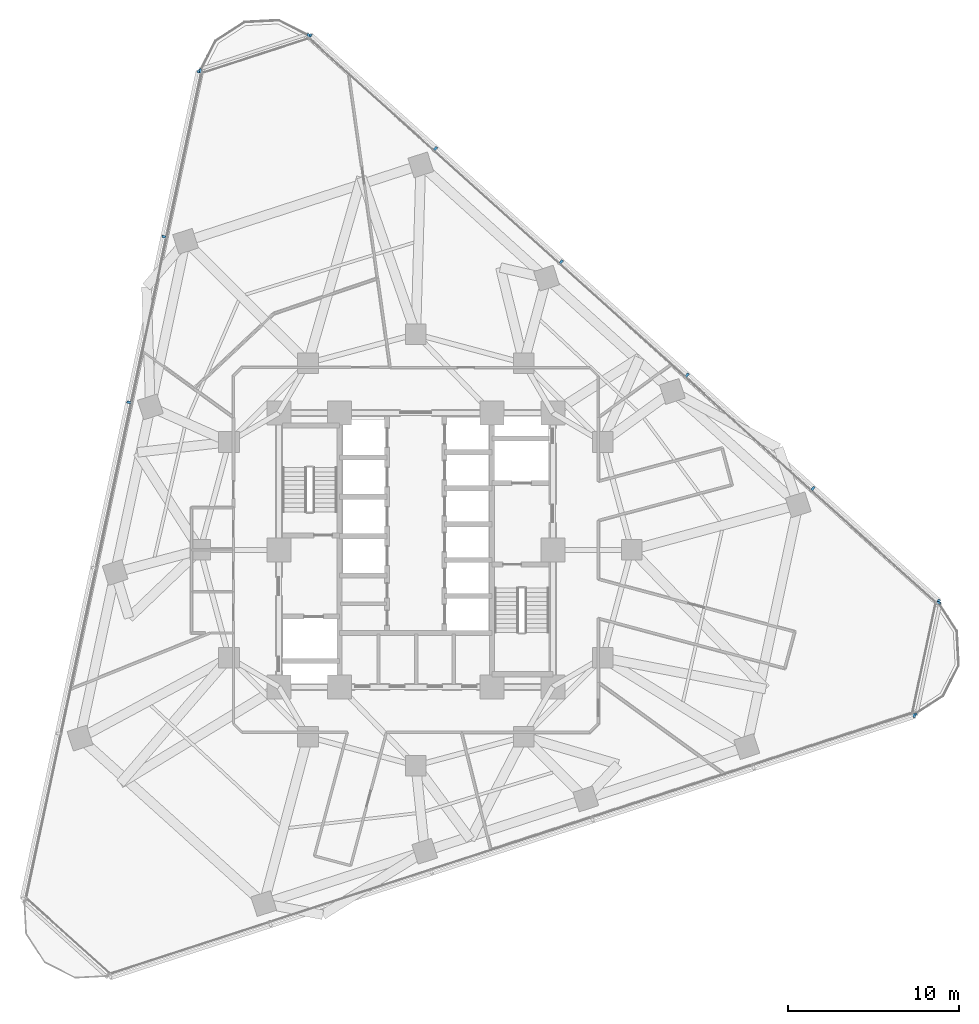
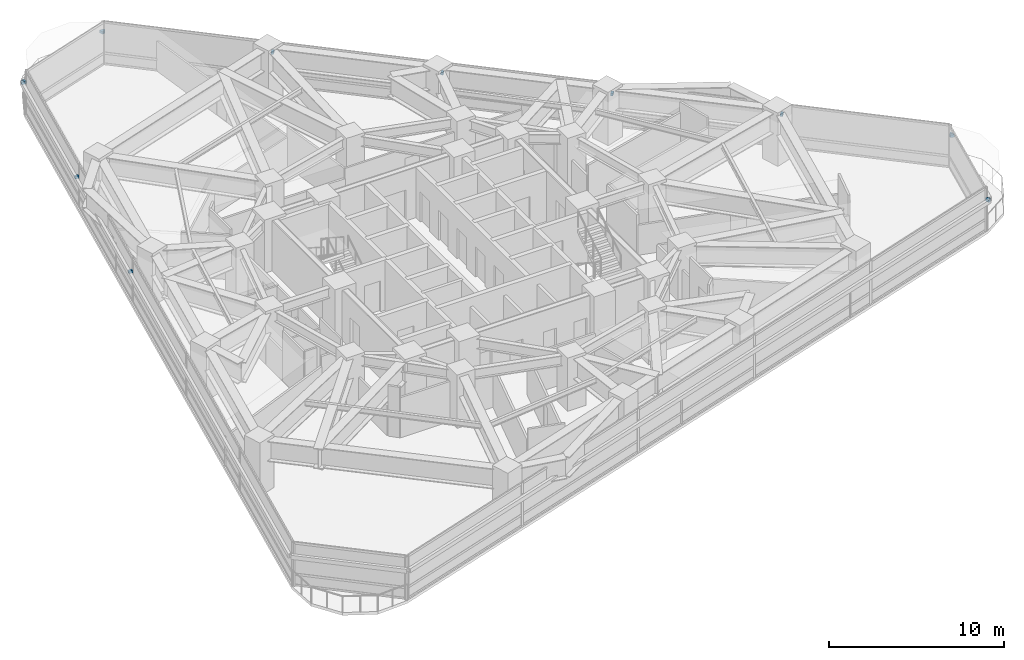
# One storey, part 11 of 14: 14 discrete accessories.
"""IFC4 building model written with IfcOpenShell, lengths in metres."""

from ifc_helpers import new_model, si_unit, direction, frame, origin, origin_2d, place, context, subcontext, project, spatial, rectangle, extrude, material, type_object, element, save


model = new_model("IFC4")

# Units and contexts
model_context = context("Model", 3, precision=1e-05, world=origin(), true_north=direction((0.0, 1.0)))
body_context = subcontext(model_context, "Body", "Model", "MODEL_VIEW")
ifc_project = project(units=[si_unit("LENGTHUNIT", "METRE"), si_unit("AREAUNIT", "SQUARE_METRE"), si_unit("VOLUMEUNIT", "CUBIC_METRE"), si_unit("PLANEANGLEUNIT", "RADIAN"), si_unit("MASSUNIT", "GRAM", prefix="KILO")], contexts=[model_context])

# Site, building, storey
site_placement = place(None, origin())
site = spatial("IfcSite", under=ifc_project, at=site_placement, CompositionType="ELEMENT")
building_placement = place(site_placement, origin())
building = spatial("IfcBuilding", under=site, at=building_placement, Name="Terralouvre Media Tower", CompositionType="ELEMENT")
storey_placement = place(building_placement, frame((0.0, 0.0, 116.199951171875)))
storey = spatial("IfcBuildingStorey", under=building, at=storey_placement, Name="L29", CompositionType="ELEMENT", Elevation=116.199951171875)

# Discrete accessories
ifc_material = material(Name="Anodised extruded aluminium 6063-T6", Category="aluminium")
discrete_accessory_type = type_object("IfcDiscreteAccessoryType", Name="Mullion Stand-Off Baguette Fixing Bracket BK-01", PredefinedType="BRACKET", material=ifc_material)
for number, where, z_axis, x_axis, name in (
    (1, (29.09619140625, -9.67431640625, 2.07421875), (0.0, 0.0, 1.0), (0.951056509451, 0.309017015439, 0.0), "CW-L29-F0 Baguette Outrigger Bracket 1.06"),
    (2, (30.515625, -2.996337890625, 2.07421875), (0.0, 0.0, 1.0), (-0.743144795545, 0.669130639602, 0.0), "CW-L29-F1 Baguette Outrigger Bracket 1.01"),
    (3, (23.1953125, 3.5947265625, 2.07421875), (0.0, 0.0, 1.0), (-0.743144795545, 0.669130639602, 0.0), "CW-L29-F1 Baguette Outrigger Bracket 1.02"),
    (4, (15.846923828125, 10.211181640625, 2.07421875), (0.0, 0.0, 1.0), (-0.743144795545, 0.669130639602, 0.0), "CW-L29-F1 Baguette Outrigger Bracket 1.03"),
    (5, (8.498779296875, 16.82763671875, 2.07421875), (0.0, 0.0, 1.0), (-0.743144795545, 0.669130639602, 0.0), "CW-L29-F1 Baguette Outrigger Bracket 1.04"),
    (6, (1.150634765625, 23.44384765625, 2.07421875), (0.0, 0.0, 1.0), (-0.743144795545, 0.669130639602, 0.0), "CW-L29-F1 Baguette Outrigger Bracket 1.05"),
    (7, (-6.169677734375, 30.03515625, 2.07421875), (0.0, 0.0, 1.0), (-0.743144795545, 0.669130639602, 0.0), "CW-L29-F1 Baguette Outrigger Bracket 1.06"),
    (8, (-12.662841796875, 27.925537109375, 2.07421875), (0.0, 0.0, 1.0), (-0.207911643887, -0.978147610709, 0.0), "CW-L29-F2 Baguette Outrigger Bracket 1.01"),
    (9, (-14.710693359375, 18.290283203125, 2.07421875), (0.0, 0.0, 1.0), (-0.207911643887, -0.978147610709, 0.0), "CW-L29-F2 Baguette Outrigger Bracket 1.02"),
    (10, (-16.7666015625, 8.618408203125, 2.07421875), (0.0, 0.0, 1.0), (-0.207911643887, -0.978147610709, 0.0), "CW-L29-F2 Baguette Outrigger Bracket 1.03"),
    (11, (29.146728515625, -9.59228515625, 2.07421875), (0.0, 0.0, 1.0), (0.207911611348, 0.978147617626, 0.0), "CW-L29-C1 Baguette Outrigger Bracket 1.01"),
    (12, (30.5283203125, -3.092041015625, 2.07421875), (0.0, 0.0, 1.0), (0.207911611348, 0.978147617626, 0.0), "CW-L29-C1 Baguette Outrigger Bracket 1.02"),
    (13, (-6.266357421875, 30.0380859375, 2.07421875), (0.0, 0.0, 1.0), (-0.951056286408, -0.309017701894, 0.0), "CW-L29-C2 Baguette Outrigger Bracket 1.01"),
    (14, (-12.58642578125, 27.984375, 2.07421875), (0.0, 0.0, 1.0), (-0.951056286408, -0.309017701894, 0.0), "CW-L29-C2 Baguette Outrigger Bracket 1.02"),
):
    element("IfcDiscreteAccessory", number, at=place(storey_placement, frame(where, z_axis=z_axis, x_axis=x_axis)), inside=storey, type_object=discrete_accessory_type, Name=name, PredefinedType="BRACKET", context=body_context, shape_type="SweptSolid", body=[
        extrude(rectangle(XDim=0.139892578125, YDim=0.239990234375, at=origin_2d()), origin(), (0.0, 0.0, 1.0), 0.179931640625),
    ])

save(model, "model.ifc")
